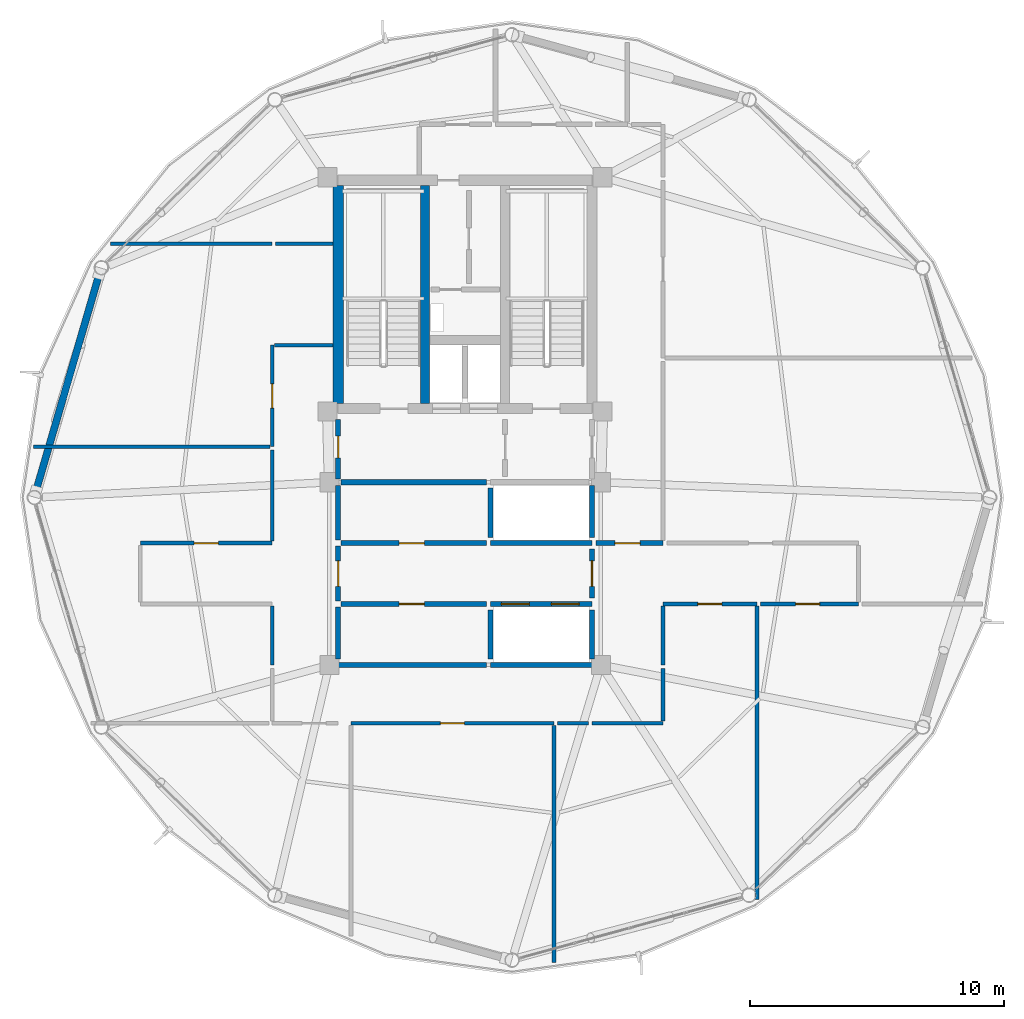
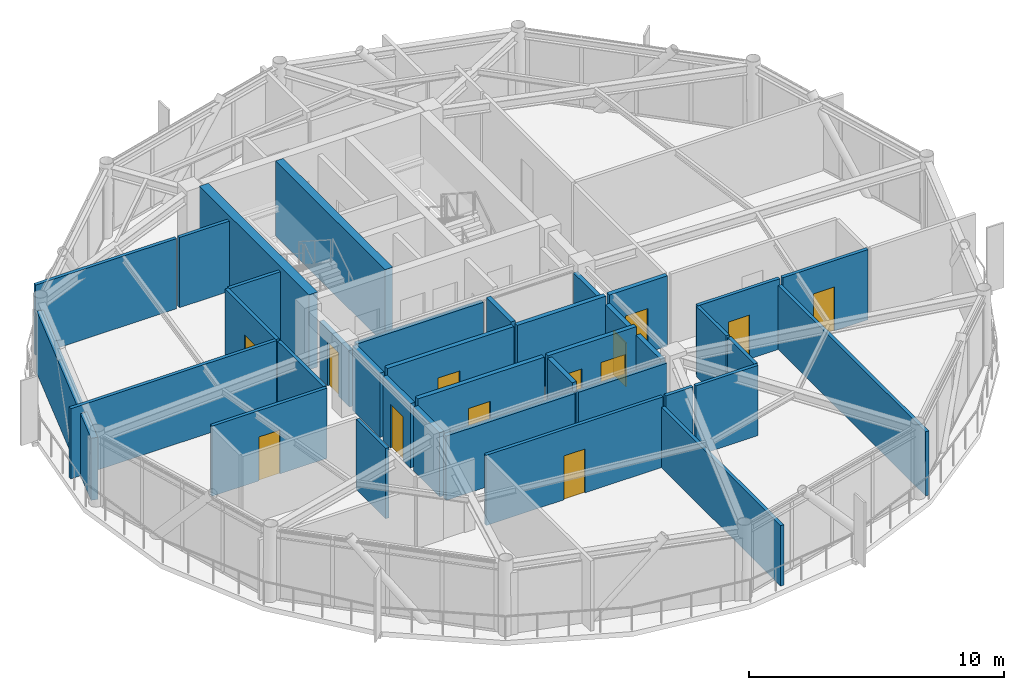
# One storey, part 22 of 27: 37 walls, 13 doors, 13 openings.
"""IFC4 building model written with IfcOpenShell, lengths in metres."""

from ifc_helpers import new_model, si_unit, direction, frame, frame_2d, origin, place, context, subcontext, project, spatial, rectangle, extrude, material, layer, layer_set, type_object, element, fill, save


model = new_model("IFC4")

# Units and contexts
model_context = context("Model", 3, precision=1e-05, world=origin(), true_north=direction((0.0, 1.0)))
body_context = subcontext(model_context, "Body", "Model", "MODEL_VIEW")
ifc_project = project(units=[si_unit("LENGTHUNIT", "METRE"), si_unit("AREAUNIT", "SQUARE_METRE"), si_unit("VOLUMEUNIT", "CUBIC_METRE"), si_unit("PLANEANGLEUNIT", "RADIAN"), si_unit("MASSUNIT", "GRAM", prefix="KILO")], contexts=[model_context])

# Site, building, storey
site_placement = place(None, origin())
site = spatial("IfcSite", under=ifc_project, at=site_placement, CompositionType="ELEMENT")
building_placement = place(site_placement, origin())
building = spatial("IfcBuilding", under=site, at=building_placement, Name="Varnakorn Sky Granary", CompositionType="ELEMENT")
storey_placement = place(building_placement, frame((0.0, 0.0, 229.199951171875)))
storey = spatial("IfcBuildingStorey", under=building, at=storey_placement, Name="L58", CompositionType="ELEMENT", Elevation=229.199951171875)

# Walls
ifc_material_1 = material(Name="Concrete C50/60", Category="concrete")
ifc_layer_1 = layer(ifc_material_1, 0.35009765625, Name="Concrete C50/60")
ifc_layer_set_1 = layer_set([ifc_layer_1], Name="Concrete C50/60")
wall_type_1 = type_object("IfcWallType", Name="WT-CW-INT-350", PredefinedType="SHEAR", material=ifc_layer_set_1)
wall_1_placement = place(storey_placement, frame((1.419921875, 3.7099609375, 0.0), z_axis=(0.0, 0.0, 1.0), x_axis=(0.0, 1.0, 0.0)))
element("IfcWall", 1, at=wall_1_placement, inside=storey, type_object=wall_type_1, Name="Stair ST-1 Core Wall L58", PredefinedType="SHEAR", context=body_context, shape_type="SweptSolid", body=[
    extrude(rectangle(XDim=8.580078125, YDim=0.35009765625, at=frame_2d((4.2900390625, 0.0))), origin(), (0.0, 0.0, 1.0), 3.592041015625),
])
ifc_layer_2 = layer(ifc_material_1, 0.39990234375, Name="Concrete C50/60")
ifc_layer_set_2 = layer_set([ifc_layer_2], Name="Concrete C50/60")
wall_type_2 = type_object("IfcWallType", Name="WT-CW-SHEAR-400", PredefinedType="SHEAR", material=ifc_layer_set_2)
wall_2_placement = place(storey_placement, frame((-2.0, 3.7099609375, 0.0), z_axis=(0.0, 0.0, 1.0), x_axis=(0.0, 1.0, 0.0)))
element("IfcWall", 2, at=wall_2_placement, inside=storey, type_object=wall_type_2, Name="Core West Shear Wall L58", PredefinedType="SHEAR", context=body_context, shape_type="SweptSolid", body=[
    extrude(rectangle(XDim=8.580078125, YDim=0.39990234375, at=frame_2d((4.2900390625, 0.0))), origin(), (0.0, 0.0, 1.0), 3.592041015625),
])
ifc_material_2 = material(Name="Precast concrete C40/50", Category="concrete")
ifc_layer_3 = layer(ifc_material_2, 0.280029296875, Name="Precast concrete C40/50")
ifc_layer_set_3 = layer_set([ifc_layer_3], Name="Precast concrete C40/50")
wall_type_3 = type_object("IfcWallType", Name="WT-EW-CRN-280", PredefinedType="SOLIDWALL", material=ifc_layer_set_3)
wall_3_placement = place(storey_placement, frame((-13.918212890625, 0.22509765625, 0.0), z_axis=(0.0, 0.0, 1.0), x_axis=(0.279948739232, 0.960014949572, 0.0)))
element("IfcWall", 3, at=wall_3_placement, inside=storey, type_object=wall_type_3, Name="Agritech Insulated Precast Facade Wall L58-P06", PredefinedType="SOLIDWALL", context=body_context, shape_type="SweptSolid", body=[
    extrude(rectangle(XDim=8.961669921875, YDim=0.280029296875, at=frame_2d((4.48095703125, 0.0))), origin(), (0.0, 0.0, 1.0), 2.969970703125),
])

# Wall, opening, door
ifc_material_3 = material(Name="Autoclaved Aerated Concrete Blockwork", Category="masonry")
ifc_layer_4 = layer(ifc_material_3, 0.199951171875, Name="Autoclaved Aerated Concrete Blockwork")
ifc_layer_set_4 = layer_set([ifc_layer_4], Name="Autoclaved Aerated Concrete Blockwork")
wall_type_4 = type_object("IfcWallType", Name="WT-FIRE-200", PredefinedType="MOVABLE", material=ifc_layer_set_4)
wall_4_placement = place(storey_placement, frame((-2.0, 0.719970703125, 0.0), z_axis=(0.0, 0.0, 1.0), x_axis=(0.0, 1.0, 0.0)))
wall_4 = element("IfcWall", 4, at=wall_4_placement, inside=storey, type_object=wall_type_4, Name="Interior Partition Wall L58-013", PredefinedType="MOVABLE", context=body_context, shape_type="SweptSolid", body=[
    extrude(rectangle(XDim=2.35009765625, YDim=0.199951171875, at=frame_2d((1.175048828125, 0.0))), origin(), (0.0, 0.0, 1.0), 2.692138671875),
])
opening_1_placement = place(wall_4_placement, frame((0.844970703125, 0.0, 0.0)))
opening_1 = element("IfcOpeningElement", 5, at=opening_1_placement, cuts=wall_4, Name="Opening FD-60N", PredefinedType="OPENING", context=body_context, shape_type="SweptSolid", body=[
    extrude(rectangle(XDim=0.85009765625, YDim=2.10009765625, at=frame_2d((0.425048828125, 1.050048828125))), frame((0.0, 0.10986328125, 0.0), z_axis=(0.0, -1.0, 0.0), x_axis=(1.0, 0.0, 0.0)), (0.0, 0.0, 1.0), 0.219970703125),
])
ifc_material_4 = material(Name="Acoustic Timber Fire Leaf", Category="wood")
door_type_1 = type_object("IfcDoorType", Name="DR-FD60-850", OperationType="NOTDEFINED", PredefinedType="DOOR", material=ifc_material_4)
door_1_placement = place(opening_1_placement, origin())
door_1 = element("IfcDoor", 6, at=door_1_placement, inside=storey, type_object=door_type_1, Name="Interior Door L58-013-1", OperationType="SINGLE_SWING_RIGHT", OverallHeight=2.10009765625, OverallWidth=0.85009765625, PredefinedType="DOOR", context=body_context, shape_type="SweptSolid", body=[
    extrude(rectangle(XDim=0.85009765625, YDim=2.10009765625, at=frame_2d((0.425048828125, 1.050048828125))), frame((0.0, 0.02490234375, 0.0), z_axis=(0.0, -1.0, 0.0), x_axis=(1.0, 0.0, 0.0)), (0.0, 0.0, 1.0), 0.050048828125),
])
fill(opening_1, door_1)

wall_5_placement = place(storey_placement, frame((-2.0, -4.080078125, 0.0), z_axis=(0.0, 0.0, 1.0), x_axis=(0.0, 1.0, 0.0)))
wall_5 = element("IfcWall", 7, at=wall_5_placement, inside=storey, type_object=wall_type_4, Name="Interior Partition Wall L58-015", PredefinedType="MOVABLE", context=body_context, shape_type="SweptSolid", body=[
    extrude(rectangle(XDim=2.16015625, YDim=0.199951171875, at=frame_2d((1.080078125, 0.0))), origin(), (0.0, 0.0, 1.0), 3.072021484375),
])
opening_2_placement = place(wall_5_placement, frame((0.580078125, 0.0, 0.0)))
opening_2 = element("IfcOpeningElement", 8, at=opening_2_placement, cuts=wall_5, Name="Opening FD-60", PredefinedType="OPENING", context=body_context, shape_type="SweptSolid", body=[
    extrude(rectangle(XDim=1.0, YDim=2.10009765625, at=frame_2d((0.5, 1.050048828125))), frame((0.0, 0.10986328125, 0.0), z_axis=(0.0, -1.0, 0.0), x_axis=(1.0, 0.0, 0.0)), (0.0, 0.0, 1.0), 0.219970703125),
])
door_type_2 = type_object("IfcDoorType", Name="DR-FD60-1000", OperationType="NOTDEFINED", PredefinedType="DOOR", material=ifc_material_4)
door_2_placement = place(opening_2_placement, origin())
door_2 = element("IfcDoor", 9, at=door_2_placement, inside=storey, type_object=door_type_2, Name="Interior Door L58-015-1", OperationType="SINGLE_SWING_RIGHT", OverallHeight=2.10009765625, OverallWidth=1.0, PredefinedType="DOOR", context=body_context, shape_type="SweptSolid", body=[
    extrude(rectangle(XDim=1.0, YDim=2.10009765625, at=frame_2d((0.5, 1.050048828125))), frame((0.0, 0.02490234375, 0.0), z_axis=(0.0, -1.0, 0.0), x_axis=(1.0, 0.0, 0.0)), (0.0, 0.0, 1.0), 0.050048828125),
])
fill(opening_2, door_2)

wall_6_placement = place(storey_placement, frame((8.0, -3.969970703125, 0.0), z_axis=(0.0, 0.0, 1.0), x_axis=(0.0, 1.0, 0.0)))
wall_6 = element("IfcWall", 10, at=wall_6_placement, inside=storey, type_object=wall_type_4, Name="Interior Partition Wall L58-016", PredefinedType="MOVABLE", context=body_context, shape_type="SweptSolid", body=[
    extrude(rectangle(XDim=1.93994140625, YDim=0.199951171875, at=frame_2d((0.969970703125, 0.0))), origin(), (0.0, 0.0, 1.0), 3.072021484375),
])
opening_3_placement = place(wall_6_placement, frame((0.469970703125, 0.0, 0.0)))
opening_3 = element("IfcOpeningElement", 11, at=opening_3_placement, cuts=wall_6, Name="Opening FD-60", PredefinedType="OPENING", context=body_context, shape_type="SweptSolid", body=[
    extrude(rectangle(XDim=1.0, YDim=2.10009765625, at=frame_2d((0.5, 1.050048828125))), frame((0.0, 0.10986328125, 0.0), z_axis=(0.0, -1.0, 0.0), x_axis=(1.0, 0.0, 0.0)), (0.0, 0.0, 1.0), 0.219970703125),
])
door_3_placement = place(opening_3_placement, origin())
door_3 = element("IfcDoor", 12, at=door_3_placement, inside=storey, type_object=door_type_2, Name="Interior Door L58-016-1", OperationType="SINGLE_SWING_LEFT", OverallHeight=2.10009765625, OverallWidth=1.0, PredefinedType="DOOR", context=body_context, shape_type="SweptSolid", body=[
    extrude(rectangle(XDim=1.0, YDim=2.10009765625, at=frame_2d((0.5, 1.050048828125))), frame((0.0, 0.02490234375, 0.0), z_axis=(0.0, -1.0, 0.0), x_axis=(1.0, 0.0, 0.0)), (0.0, 0.0, 1.0), 0.050048828125),
])
fill(opening_3, door_3)

wall_7_placement = place(storey_placement, frame((-1.889892578125, -1.800048828125, 0.0), z_axis=(0.0, 0.0, 1.0), x_axis=(1.0, 0.0, 0.0)))
wall_7 = element("IfcWall", 13, at=wall_7_placement, inside=storey, type_object=wall_type_4, Name="Interior Partition Wall L58-017", PredefinedType="MOVABLE", context=body_context, shape_type="SweptSolid", body=[
    extrude(rectangle(XDim=5.72998046875, YDim=0.199951171875, at=frame_2d((2.864990234375, 0.0))), origin(), (0.0, 0.0, 1.0), 3.360107421875),
])
opening_4_placement = place(wall_7_placement, frame((2.2900390625, 0.0, 0.0)))
opening_4 = element("IfcOpeningElement", 14, at=opening_4_placement, cuts=wall_7, Name="Opening FD-60", PredefinedType="OPENING", context=body_context, shape_type="SweptSolid", body=[
    extrude(rectangle(XDim=1.0, YDim=2.10009765625, at=frame_2d((0.5, 1.050048828125))), frame((0.0, 0.10986328125, 0.0), z_axis=(0.0, -1.0, 0.0), x_axis=(1.0, 0.0, 0.0)), (0.0, 0.0, 1.0), 0.219970703125),
])
door_4_placement = place(opening_4_placement, origin())
door_4 = element("IfcDoor", 15, at=door_4_placement, inside=storey, type_object=door_type_2, Name="Interior Door L58-017-1", OperationType="SINGLE_SWING_RIGHT", OverallHeight=2.10009765625, OverallWidth=1.0, PredefinedType="DOOR", context=body_context, shape_type="SweptSolid", body=[
    extrude(rectangle(XDim=1.0, YDim=2.10009765625, at=frame_2d((0.5, 1.050048828125))), frame((0.0, 0.02490234375, 0.0), z_axis=(0.0, -1.0, 0.0), x_axis=(1.0, 0.0, 0.0)), (0.0, 0.0, 1.0), 0.050048828125),
])
fill(opening_4, door_4)

wall_8_placement = place(storey_placement, frame((-1.889892578125, -4.199951171875, 0.0), z_axis=(0.0, 0.0, 1.0), x_axis=(1.0, 0.0, 0.0)))
wall_8 = element("IfcWall", 16, at=wall_8_placement, inside=storey, type_object=wall_type_4, Name="Interior Partition Wall L58-018", PredefinedType="MOVABLE", context=body_context, shape_type="SweptSolid", body=[
    extrude(rectangle(XDim=5.72998046875, YDim=0.199951171875, at=frame_2d((2.864990234375, 0.0))), origin(), (0.0, 0.0, 1.0), 3.360107421875),
])
opening_5_placement = place(wall_8_placement, frame((2.2900390625, 0.0, 0.0)))
opening_5 = element("IfcOpeningElement", 17, at=opening_5_placement, cuts=wall_8, Name="Opening FD-60", PredefinedType="OPENING", context=body_context, shape_type="SweptSolid", body=[
    extrude(rectangle(XDim=1.0, YDim=2.10009765625, at=frame_2d((0.5, 1.050048828125))), frame((0.0, 0.10986328125, 0.0), z_axis=(0.0, -1.0, 0.0), x_axis=(1.0, 0.0, 0.0)), (0.0, 0.0, 1.0), 0.219970703125),
])
door_5_placement = place(opening_5_placement, origin())
door_5 = element("IfcDoor", 18, at=door_5_placement, inside=storey, type_object=door_type_2, Name="Interior Door L58-018-1", OperationType="SINGLE_SWING_LEFT", OverallHeight=2.10009765625, OverallWidth=1.0, PredefinedType="DOOR", context=body_context, shape_type="SweptSolid", body=[
    extrude(rectangle(XDim=1.0, YDim=2.10009765625, at=frame_2d((0.5, 1.050048828125))), frame((0.0, 0.02490234375, 0.0), z_axis=(0.0, -1.0, 0.0), x_axis=(1.0, 0.0, 0.0)), (0.0, 0.0, 1.0), 0.050048828125),
])
fill(opening_5, door_5)

wall_9_placement = place(storey_placement, frame((8.159912109375, -1.800048828125, 0.0), z_axis=(0.0, 0.0, 1.0), x_axis=(1.0, 0.0, 0.0)))
wall_9 = element("IfcWall", 19, at=wall_9_placement, inside=storey, type_object=wall_type_4, Name="Interior Partition Wall L58-019", PredefinedType="MOVABLE", context=body_context, shape_type="SweptSolid", body=[
    extrude(rectangle(XDim=2.64013671875, YDim=0.199951171875, at=frame_2d((1.320068359375, 0.0))), origin(), (0.0, 0.0, 1.0), 3.360107421875),
])
opening_6_placement = place(wall_9_placement, frame((0.739990234375, 0.0, 0.0)))
opening_6 = element("IfcOpeningElement", 20, at=opening_6_placement, cuts=wall_9, Name="Opening FD-60", PredefinedType="OPENING", context=body_context, shape_type="SweptSolid", body=[
    extrude(rectangle(XDim=1.0, YDim=2.10009765625, at=frame_2d((0.5, 1.050048828125))), frame((0.0, 0.10986328125, 0.0), z_axis=(0.0, -1.0, 0.0), x_axis=(1.0, 0.0, 0.0)), (0.0, 0.0, 1.0), 0.219970703125),
])
door_6_placement = place(opening_6_placement, origin())
door_6 = element("IfcDoor", 21, at=door_6_placement, inside=storey, type_object=door_type_2, Name="Interior Door L58-019-1", OperationType="SINGLE_SWING_RIGHT", OverallHeight=2.10009765625, OverallWidth=1.0, PredefinedType="DOOR", context=body_context, shape_type="SweptSolid", body=[
    extrude(rectangle(XDim=1.0, YDim=2.10009765625, at=frame_2d((0.5, 1.050048828125))), frame((0.0, 0.02490234375, 0.0), z_axis=(0.0, -1.0, 0.0), x_axis=(1.0, 0.0, 0.0)), (0.0, 0.0, 1.0), 0.050048828125),
])
fill(opening_6, door_6)

# Walls
wall_10_placement = place(storey_placement, frame((-1.8798828125, 0.60009765625, 0.0), z_axis=(0.0, 0.0, 1.0), x_axis=(1.0, 0.0, 0.0)))
element("IfcWall", 22, at=wall_10_placement, inside=storey, type_object=wall_type_4, Name="Interior Partition Wall L58-030", PredefinedType="MOVABLE", context=body_context, shape_type="SweptSolid", body=[
    extrude(rectangle(XDim=5.719970703125, YDim=0.199951171875, at=frame_2d((2.85986328125, 0.0))), origin(), (0.0, 0.0, 1.0), 3.072021484375),
])
wall_11_placement = place(storey_placement, frame((-2.0, -1.679931640625, 0.0), z_axis=(0.0, 0.0, 1.0), x_axis=(0.0, 1.0, 0.0)))
element("IfcWall", 23, at=wall_11_placement, inside=storey, type_object=wall_type_4, Name="Interior Partition Wall L58-031", PredefinedType="MOVABLE", context=body_context, shape_type="SweptSolid", body=[
    extrude(rectangle(XDim=2.159912109375, YDim=0.199951171875, at=frame_2d((1.080078125, 0.0))), origin(), (0.0, 0.0, 1.0), 3.072021484375),
])
wall_12_placement = place(storey_placement, frame((-2.0, -6.60009765625, 0.0), z_axis=(0.0, 0.0, 1.0), x_axis=(1.0, 0.0, 0.0)))
element("IfcWall", 24, at=wall_12_placement, inside=storey, type_object=wall_type_4, Name="Interior Partition Wall L58-032", PredefinedType="MOVABLE", context=body_context, shape_type="SweptSolid", body=[
    extrude(rectangle(XDim=5.840087890625, YDim=0.199951171875, at=frame_2d((2.919921875, 0.0))), origin(), (0.0, 0.0, 1.0), 3.072021484375),
])
wall_13_placement = place(storey_placement, frame((-2.0, -6.3701171875, 0.0), z_axis=(0.0, 0.0, 1.0), x_axis=(0.0, 1.0, 0.0)))
element("IfcWall", 25, at=wall_13_placement, inside=storey, type_object=wall_type_4, Name="Interior Partition Wall L58-033", PredefinedType="MOVABLE", context=body_context, shape_type="SweptSolid", body=[
    extrude(rectangle(XDim=2.050048828125, YDim=0.199951171875, at=frame_2d((1.02490234375, 0.0))), origin(), (0.0, 0.0, 1.0), 3.072021484375),
])

# Wall, opening, door
ifc_material_5 = material(Name="Gypsum Plasterboard on Steel Stud", Category="steel")
ifc_layer_5 = layer(ifc_material_5, 0.14990234375, Name="Gypsum Plasterboard on Steel Stud")
ifc_layer_set_5 = layer_set([ifc_layer_5], Name="Gypsum Plasterboard on Steel Stud")
wall_type_5 = type_object("IfcWallType", Name="WT-PART-150", PredefinedType="PARTITIONING", material=ifc_layer_set_5)
wall_14_placement = place(storey_placement, frame((-1.5, -8.89990234375, 0.0), z_axis=(0.0, 0.0, 1.0), x_axis=(1.0, 0.0, 0.0)))
wall_14 = element("IfcWall", 26, at=wall_14_placement, inside=storey, type_object=wall_type_5, Name="Interior Partition Wall L58-022", PredefinedType="PARTITIONING", context=body_context, shape_type="SweptSolid", body=[
    extrude(rectangle(XDim=8.0, YDim=0.14990234375, at=frame_2d((4.0, 0.0))), origin(), (0.0, 0.0, 1.0), 3.360107421875),
])
opening_7_placement = place(wall_14_placement, frame((3.52490234375, 0.0, 0.0)))
opening_7 = element("IfcOpeningElement", 27, at=opening_7_placement, cuts=wall_14, Name="Opening ID-95", PredefinedType="OPENING", context=body_context, shape_type="SweptSolid", body=[
    extrude(rectangle(XDim=0.949951171875, YDim=2.10009765625, at=frame_2d((0.47509765625, 1.050048828125))), frame((0.0, 0.0849609375, 0.0), z_axis=(0.0, -1.0, 0.0), x_axis=(1.0, 0.0, 0.0)), (0.0, 0.0, 1.0), 0.169921875),
])
ifc_material_6 = material(Name="Solid-Core Teak Veneer Leaf", Category="timber")
door_type_3 = type_object("IfcDoorType", Name="DR-INT-950", OperationType="NOTDEFINED", PredefinedType="DOOR", material=ifc_material_6)
door_7_placement = place(opening_7_placement, origin())
door_7 = element("IfcDoor", 28, at=door_7_placement, inside=storey, type_object=door_type_3, Name="Interior Door L58-022-1", OperationType="SINGLE_SWING_LEFT", OverallHeight=2.10009765625, OverallWidth=0.949951171875, PredefinedType="DOOR", context=body_context, shape_type="SweptSolid", body=[
    extrude(rectangle(XDim=0.949951171875, YDim=2.10009765625, at=frame_2d((0.47509765625, 1.050048828125))), frame((0.0, 0.02490234375, 0.0), z_axis=(0.0, -1.0, 0.0), x_axis=(1.0, 0.0, 0.0)), (0.0, 0.0, 1.0), 0.050048828125),
])
fill(opening_7, door_7)

wall_15_placement = place(storey_placement, frame((10.800048828125, -4.199951171875, 0.0), z_axis=(0.0, 0.0, 1.0), x_axis=(1.0, 0.0, 0.0)))
wall_15 = element("IfcWall", 29, at=wall_15_placement, inside=storey, type_object=wall_type_5, Name="Interior Partition Wall L58-023", PredefinedType="PARTITIONING", context=body_context, shape_type="SweptSolid", body=[
    extrude(rectangle(XDim=3.699951171875, YDim=0.14990234375, at=frame_2d((1.85009765625, 0.0))), origin(), (0.0, 0.0, 1.0), 3.360107421875),
])
opening_8_placement = place(wall_15_placement, frame((1.375, 0.0, 0.0)))
opening_8 = element("IfcOpeningElement", 30, at=opening_8_placement, cuts=wall_15, Name="Opening ID-95", PredefinedType="OPENING", context=body_context, shape_type="SweptSolid", body=[
    extrude(rectangle(XDim=0.949951171875, YDim=2.10009765625, at=frame_2d((0.47509765625, 1.050048828125))), frame((0.0, 0.0849609375, 0.0), z_axis=(0.0, -1.0, 0.0), x_axis=(1.0, 0.0, 0.0)), (0.0, 0.0, 1.0), 0.169921875),
])
door_8_placement = place(opening_8_placement, origin())
door_8 = element("IfcDoor", 31, at=door_8_placement, inside=storey, type_object=door_type_3, Name="Interior Door L58-023-1", OperationType="SINGLE_SWING_RIGHT", OverallHeight=2.10009765625, OverallWidth=0.949951171875, PredefinedType="DOOR", context=body_context, shape_type="SweptSolid", body=[
    extrude(rectangle(XDim=0.949951171875, YDim=2.10009765625, at=frame_2d((0.47509765625, 1.050048828125))), frame((0.0, 0.02490234375, 0.0), z_axis=(0.0, -1.0, 0.0), x_axis=(1.0, 0.0, 0.0)), (0.0, 0.0, 1.0), 0.050048828125),
])
fill(opening_8, door_8)

wall_16_placement = place(storey_placement, frame((14.635009765625, -4.199951171875, 0.0), z_axis=(0.0, 0.0, 1.0), x_axis=(1.0, 0.0, 0.0)))
wall_16 = element("IfcWall", 32, at=wall_16_placement, inside=storey, type_object=wall_type_5, Name="Interior Partition Wall L58-024", PredefinedType="PARTITIONING", context=body_context, shape_type="SweptSolid", body=[
    extrude(rectangle(XDim=3.864990234375, YDim=0.14990234375, at=frame_2d((1.9326171875, 0.0))), origin(), (0.0, 0.0, 1.0), 3.360107421875),
])
opening_9_placement = place(wall_16_placement, frame((1.389892578125, 0.0, 0.0)))
opening_9 = element("IfcOpeningElement", 33, at=opening_9_placement, cuts=wall_16, Name="Opening ID-95", PredefinedType="OPENING", context=body_context, shape_type="SweptSolid", body=[
    extrude(rectangle(XDim=0.949951171875, YDim=2.10009765625, at=frame_2d((0.47509765625, 1.050048828125))), frame((0.0, 0.0849609375, 0.0), z_axis=(0.0, -1.0, 0.0), x_axis=(1.0, 0.0, 0.0)), (0.0, 0.0, 1.0), 0.169921875),
])
door_9_placement = place(opening_9_placement, origin())
door_9 = element("IfcDoor", 34, at=door_9_placement, inside=storey, type_object=door_type_3, Name="Interior Door L58-024-1", OperationType="SINGLE_SWING_LEFT", OverallHeight=2.10009765625, OverallWidth=0.949951171875, PredefinedType="DOOR", context=body_context, shape_type="SweptSolid", body=[
    extrude(rectangle(XDim=0.949951171875, YDim=2.10009765625, at=frame_2d((0.47509765625, 1.050048828125))), frame((0.0, 0.02490234375, 0.0), z_axis=(0.0, -1.0, 0.0), x_axis=(1.0, 0.0, 0.0)), (0.0, 0.0, 1.0), 0.050048828125),
])
fill(opening_9, door_9)

wall_17_placement = place(storey_placement, frame((-4.60009765625, -1.800048828125, 0.0), z_axis=(0.0, 0.0, 1.0), x_axis=(-1.0, 0.0, 0.0)))
wall_17 = element("IfcWall", 35, at=wall_17_placement, inside=storey, type_object=wall_type_5, Name="Interior Partition Wall L58-025", PredefinedType="PARTITIONING", context=body_context, shape_type="SweptSolid", body=[
    extrude(rectangle(XDim=5.199951171875, YDim=0.14990234375, at=frame_2d((2.60009765625, 0.0))), origin(), (0.0, 0.0, 1.0), 3.360107421875),
])
opening_10_placement = place(wall_17_placement, frame((2.125, 0.0, 0.0)))
opening_10 = element("IfcOpeningElement", 36, at=opening_10_placement, cuts=wall_17, Name="Opening ID-95", PredefinedType="OPENING", context=body_context, shape_type="SweptSolid", body=[
    extrude(rectangle(XDim=0.949951171875, YDim=2.10009765625, at=frame_2d((0.47509765625, 1.050048828125))), frame((0.0, 0.0849609375, 0.0), z_axis=(0.0, -1.0, 0.0), x_axis=(1.0, 0.0, 0.0)), (0.0, 0.0, 1.0), 0.169921875),
])
door_10_placement = place(opening_10_placement, origin())
door_10 = element("IfcDoor", 37, at=door_10_placement, inside=storey, type_object=door_type_3, Name="Interior Door L58-025-1", OperationType="SINGLE_SWING_RIGHT", OverallHeight=2.10009765625, OverallWidth=0.949951171875, PredefinedType="DOOR", context=body_context, shape_type="SweptSolid", body=[
    extrude(rectangle(XDim=0.949951171875, YDim=2.10009765625, at=frame_2d((0.47509765625, 1.050048828125))), frame((0.0, 0.02490234375, 0.0), z_axis=(0.0, -1.0, 0.0), x_axis=(1.0, 0.0, 0.0)), (0.0, 0.0, 1.0), 0.050048828125),
])
fill(opening_10, door_10)

wall_18_placement = place(storey_placement, frame((-4.60009765625, 6.0, 0.0), z_axis=(0.0, 0.0, 1.0), x_axis=(0.0, -1.0, 0.0)))
wall_18 = element("IfcWall", 38, at=wall_18_placement, inside=storey, type_object=wall_type_5, Name="Interior Partition Wall L58-026", PredefinedType="PARTITIONING", context=body_context, shape_type="SweptSolid", body=[
    extrude(rectangle(XDim=4.0, YDim=0.14990234375, at=frame_2d((2.0, 0.0))), origin(), (0.0, 0.0, 1.0), 3.360107421875),
])
opening_11_placement = place(wall_18_placement, frame((1.52490234375, 0.0, 0.0)))
opening_11 = element("IfcOpeningElement", 39, at=opening_11_placement, cuts=wall_18, Name="Opening ID-95", PredefinedType="OPENING", context=body_context, shape_type="SweptSolid", body=[
    extrude(rectangle(XDim=0.949951171875, YDim=2.10009765625, at=frame_2d((0.47509765625, 1.050048828125))), frame((0.0, 0.0849609375, 0.0), z_axis=(0.0, -1.0, 0.0), x_axis=(1.0, 0.0, 0.0)), (0.0, 0.0, 1.0), 0.169921875),
])
door_11_placement = place(opening_11_placement, origin())
door_11 = element("IfcDoor", 40, at=door_11_placement, inside=storey, type_object=door_type_3, Name="Interior Door L58-026-1", OperationType="SINGLE_SWING_LEFT", OverallHeight=2.10009765625, OverallWidth=0.949951171875, PredefinedType="DOOR", context=body_context, shape_type="SweptSolid", body=[
    extrude(rectangle(XDim=0.949951171875, YDim=2.10009765625, at=frame_2d((0.47509765625, 1.050048828125))), frame((0.0, 0.02490234375, 0.0), z_axis=(0.0, -1.0, 0.0), x_axis=(1.0, 0.0, 0.0)), (0.0, 0.0, 1.0), 0.050048828125),
])
fill(opening_11, door_11)

# Walls
wall_19_placement = place(storey_placement, frame((6.5, -8.985107421875, 0.0), z_axis=(0.0, 0.0, 1.0), x_axis=(0.0, -1.0, 0.0)))
element("IfcWall", 41, at=wall_19_placement, inside=storey, type_object=wall_type_5, Name="Interior Partition Wall L58-037", PredefinedType="PARTITIONING", context=body_context, shape_type="SweptSolid", body=[
    extrude(rectangle(XDim=9.3408203125, YDim=0.14990234375, at=frame_2d((4.67041015625, 0.0))), origin(), (0.0, 0.0, 1.0), 2.89208984375),
])
wall_20_placement = place(storey_placement, frame((8.0, -8.89990234375, 0.0), z_axis=(0.0, 0.0, 1.0), x_axis=(1.0, 0.0, 0.0)))
element("IfcWall", 42, at=wall_20_placement, inside=storey, type_object=wall_type_5, Name="Interior Partition Wall L58-038", PredefinedType="PARTITIONING", context=body_context, shape_type="SweptSolid", body=[
    extrude(rectangle(XDim=2.800048828125, YDim=0.14990234375, at=frame_2d((1.39990234375, 0.0))), origin(), (0.0, 0.0, 1.0), 3.360107421875),
])
wall_21_placement = place(storey_placement, frame((10.800048828125, -6.60009765625, 0.0), z_axis=(0.0, 0.0, 1.0), x_axis=(0.0, 1.0, 0.0)))
element("IfcWall", 43, at=wall_21_placement, inside=storey, type_object=wall_type_5, Name="Interior Partition Wall L58-039", PredefinedType="PARTITIONING", context=body_context, shape_type="SweptSolid", body=[
    extrude(rectangle(XDim=2.315185546875, YDim=0.14990234375, at=frame_2d((1.15771484375, 0.0))), origin(), (0.0, 0.0, 1.0), 3.360107421875),
])
wall_22_placement = place(storey_placement, frame((10.800048828125, -8.81494140625, 0.0), z_axis=(0.0, 0.0, 1.0), x_axis=(0.0, 1.0, 0.0)))
element("IfcWall", 44, at=wall_22_placement, inside=storey, type_object=wall_type_5, Name="Interior Partition Wall L58-040", PredefinedType="PARTITIONING", context=body_context, shape_type="SweptSolid", body=[
    extrude(rectangle(XDim=2.079833984375, YDim=0.14990234375, at=frame_2d((1.0400390625, 0.0))), origin(), (0.0, 0.0, 1.0), 3.360107421875),
])
wall_23_placement = place(storey_placement, frame((6.635009765625, -8.89990234375, 0.0), z_axis=(0.0, 0.0, 1.0), x_axis=(1.0, 0.0, 0.0)))
element("IfcWall", 45, at=wall_23_placement, inside=storey, type_object=wall_type_5, Name="Interior Partition Wall L58-041", PredefinedType="PARTITIONING", context=body_context, shape_type="SweptSolid", body=[
    extrude(rectangle(XDim=1.22998046875, YDim=0.14990234375, at=frame_2d((0.614990234375, 0.0))), origin(), (0.0, 0.0, 1.0), 3.360107421875),
])
wall_24_placement = place(storey_placement, frame((14.5, -4.284912109375, 0.0), z_axis=(0.0, 0.0, 1.0), x_axis=(0.0, -1.0, 0.0)))
element("IfcWall", 46, at=wall_24_placement, inside=storey, type_object=wall_type_5, Name="Interior Partition Wall L58-042", PredefinedType="PARTITIONING", context=body_context, shape_type="SweptSolid", body=[
    extrude(rectangle(XDim=11.55419921875, YDim=0.14990234375, at=frame_2d((5.777099609375, 0.0))), origin(), (0.0, 0.0, 1.0), 3.072021484375),
])
wall_25_placement = place(storey_placement, frame((-4.60009765625, 1.864990234375, 0.0), z_axis=(0.0, 0.0, 1.0), x_axis=(0.0, -1.0, 0.0)))
element("IfcWall", 47, at=wall_25_placement, inside=storey, type_object=wall_type_5, Name="Interior Partition Wall L58-045", PredefinedType="PARTITIONING", context=body_context, shape_type="SweptSolid", body=[
    extrude(rectangle(XDim=3.580078125, YDim=0.14990234375, at=frame_2d((1.7900390625, 0.0))), origin(), (0.0, 0.0, 1.0), 3.360107421875),
])
wall_26_placement = place(storey_placement, frame((-4.60009765625, -4.284912109375, 0.0), z_axis=(0.0, 0.0, 1.0), x_axis=(0.0, -1.0, 0.0)))
element("IfcWall", 48, at=wall_26_placement, inside=storey, type_object=wall_type_5, Name="Interior Partition Wall L58-047", PredefinedType="PARTITIONING", context=body_context, shape_type="SweptSolid", body=[
    extrude(rectangle(XDim=2.315185546875, YDim=0.14990234375, at=frame_2d((1.15771484375, 0.0))), origin(), (0.0, 0.0, 1.0), 3.360107421875),
])
wall_27_placement = place(storey_placement, frame((-14.0029296875, 2.0, 0.0), z_axis=(0.0, 0.0, 1.0), x_axis=(1.0, 0.0, 0.0)))
element("IfcWall", 49, at=wall_27_placement, inside=storey, type_object=wall_type_5, Name="Interior Partition Wall L58-049", PredefinedType="PARTITIONING", context=body_context, shape_type="SweptSolid", body=[
    extrude(rectangle(XDim=9.31787109375, YDim=0.14990234375, at=frame_2d((4.658935546875, 0.0))), origin(), (0.0, 0.0, 1.0), 3.360107421875),
])
wall_28_placement = place(storey_placement, frame((-2.2099609375, 6.0, 0.0), z_axis=(0.0, 0.0, 1.0), x_axis=(-1.0, 0.0, 0.0)))
element("IfcWall", 50, at=wall_28_placement, inside=storey, type_object=wall_type_5, Name="Interior Partition Wall L58-050", PredefinedType="PARTITIONING", context=body_context, shape_type="SweptSolid", body=[
    extrude(rectangle(XDim=2.304931640625, YDim=0.14990234375, at=frame_2d((1.15234375, 0.0))), origin(), (0.0, 0.0, 1.0), 3.360107421875),
])
wall_29_placement = place(storey_placement, frame((-10.97412109375, 10.0, 0.0), z_axis=(0.0, 0.0, 1.0), x_axis=(1.0, 0.0, 0.0)))
element("IfcWall", 51, at=wall_29_placement, inside=storey, type_object=wall_type_5, Name="Interior Partition Wall L58-051", PredefinedType="PARTITIONING", context=body_context, shape_type="SweptSolid", body=[
    extrude(rectangle(XDim=6.3740234375, YDim=0.14990234375, at=frame_2d((3.18701171875, 0.0))), origin(), (0.0, 0.0, 1.0), 3.360107421875),
])
wall_30_placement = place(storey_placement, frame((-4.465087890625, 10.0, 0.0), z_axis=(0.0, 0.0, 1.0), x_axis=(1.0, 0.0, 0.0)))
element("IfcWall", 52, at=wall_30_placement, inside=storey, type_object=wall_type_5, Name="Interior Partition Wall L58-052", PredefinedType="PARTITIONING", context=body_context, shape_type="SweptSolid", body=[
    extrude(rectangle(XDim=2.255126953125, YDim=0.14990234375, at=frame_2d((1.12744140625, 0.0))), origin(), (0.0, 0.0, 1.0), 3.360107421875),
])
ifc_layer_6 = layer(ifc_material_3, 0.199951171875, Name="Autoclaved Aerated Concrete Blockwork")
ifc_layer_set_6 = layer_set([ifc_layer_6], Name="Autoclaved Aerated Concrete Blockwork")
wall_type_6 = type_object("IfcWallType", Name="WT-SHAFT-200", PredefinedType="SOLIDWALL", material=ifc_layer_set_6)
wall_31_placement = place(storey_placement, frame((4.0, -1.800048828125, 0.0), z_axis=(0.0, 0.0, 1.0), x_axis=(1.0, 0.0, 0.0)))
element("IfcWall", 53, at=wall_31_placement, inside=storey, type_object=wall_type_6, Name="Interior Partition Wall L58-003", PredefinedType="SOLIDWALL", context=body_context, shape_type="SweptSolid", body=[
    extrude(rectangle(XDim=4.0, YDim=0.199951171875, at=frame_2d((2.0, 0.0))), origin(), (0.0, 0.0, 1.0), 3.360107421875),
])
wall_32_placement = place(storey_placement, frame((4.0, -1.570068359375, 0.0), z_axis=(0.0, 0.0, 1.0), x_axis=(0.0, 1.0, 0.0)))
element("IfcWall", 54, at=wall_32_placement, inside=storey, type_object=wall_type_6, Name="Interior Partition Wall L58-004", PredefinedType="SOLIDWALL", context=body_context, shape_type="SweptSolid", body=[
    extrude(rectangle(XDim=1.940185546875, YDim=0.199951171875, at=frame_2d((0.97021484375, 0.0))), origin(), (0.0, 0.0, 1.0), 3.360107421875),
])
wall_33_placement = place(storey_placement, frame((8.0, -1.570068359375, 0.0), z_axis=(0.0, 0.0, 1.0), x_axis=(0.0, 1.0, 0.0)))
element("IfcWall", 55, at=wall_33_placement, inside=storey, type_object=wall_type_6, Name="Interior Partition Wall L58-005", PredefinedType="SOLIDWALL", context=body_context, shape_type="SweptSolid", body=[
    extrude(rectangle(XDim=2.050048828125, YDim=0.199951171875, at=frame_2d((1.02490234375, 0.0))), origin(), (0.0, 0.0, 1.0), 3.072021484375),
])

# Wall, openings, doors
wall_34_placement = place(storey_placement, frame((4.0, -4.199951171875, 0.0), z_axis=(0.0, 0.0, 1.0), x_axis=(1.0, 0.0, 0.0)))
wall_34 = element("IfcWall", 56, at=wall_34_placement, inside=storey, type_object=wall_type_6, Name="Interior Partition Wall L58-006", PredefinedType="SOLIDWALL", context=body_context, shape_type="SweptSolid", body=[
    extrude(rectangle(XDim=4.0, YDim=0.199951171875, at=frame_2d((2.0, 0.0))), origin(), (0.0, 0.0, 1.0), 3.360107421875),
])
opening_12_placement = place(wall_34_placement, frame((0.429931640625, 0.0, 0.0)))
opening_12 = element("IfcOpeningElement", 57, at=opening_12_placement, cuts=wall_34, Name="Opening LD-01", PredefinedType="OPENING", context=body_context, shape_type="SweptSolid", body=[
    extrude(rectangle(XDim=1.10009765625, YDim=2.199951171875, at=frame_2d((0.550048828125, 1.10009765625))), frame((0.0, 0.10986328125, 0.0), z_axis=(0.0, -1.0, 0.0), x_axis=(1.0, 0.0, 0.0)), (0.0, 0.0, 1.0), 0.219970703125),
])
opening_13_placement = place(wall_34_placement, frame((2.39990234375, 0.0, 0.0)))
opening_13 = element("IfcOpeningElement", 58, at=opening_13_placement, cuts=wall_34, Name="Opening LD-01", PredefinedType="OPENING", context=body_context, shape_type="SweptSolid", body=[
    extrude(rectangle(XDim=1.10009765625, YDim=2.199951171875, at=frame_2d((0.550048828125, 1.10009765625))), frame((0.0, 0.10986328125, 0.0), z_axis=(0.0, -1.0, 0.0), x_axis=(1.0, 0.0, 0.0)), (0.0, 0.0, 1.0), 0.219970703125),
])
ifc_material_7 = material(Name="Brushed Bronze Stainless Steel", Category="steel")
door_type_4 = type_object("IfcDoorType", Name="DR-LD-1100", OperationType="DOUBLE_DOOR_SLIDING", PredefinedType="DOOR", material=ifc_material_7)
door_12_placement = place(opening_12_placement, origin())
door_12 = element("IfcDoor", 59, at=door_12_placement, inside=storey, type_object=door_type_4, Name="Passenger Lift PL-H1 Sliding Landing Door L58", OperationType="DOUBLE_DOOR_SLIDING", OverallHeight=2.199951171875, OverallWidth=1.10009765625, PredefinedType="DOOR", context=body_context, shape_type="SweptSolid", body=[
    extrude(rectangle(XDim=1.10009765625, YDim=2.199951171875, at=frame_2d((0.550048828125, 1.10009765625))), frame((0.0, 0.02490234375, 0.0), z_axis=(0.0, -1.0, 0.0), x_axis=(1.0, 0.0, 0.0)), (0.0, 0.0, 1.0), 0.050048828125),
])
fill(opening_12, door_12)
door_13_placement = place(opening_13_placement, origin())
door_13 = element("IfcDoor", 60, at=door_13_placement, inside=storey, type_object=door_type_4, Name="Passenger Lift PL-H2 Sliding Landing Door L58", OperationType="DOUBLE_DOOR_SLIDING", OverallHeight=2.199951171875, OverallWidth=1.10009765625, PredefinedType="DOOR", context=body_context, shape_type="SweptSolid", body=[
    extrude(rectangle(XDim=1.10009765625, YDim=2.199951171875, at=frame_2d((0.550048828125, 1.10009765625))), frame((0.0, 0.02490234375, 0.0), z_axis=(0.0, -1.0, 0.0), x_axis=(1.0, 0.0, 0.0)), (0.0, 0.0, 1.0), 0.050048828125),
])
fill(opening_13, door_13)

# Walls
wall_35_placement = place(storey_placement, frame((4.0, -6.60009765625, 0.0), z_axis=(0.0, 0.0, 1.0), x_axis=(1.0, 0.0, 0.0)))
element("IfcWall", 61, at=wall_35_placement, inside=storey, type_object=wall_type_6, Name="Interior Partition Wall L58-007", PredefinedType="SOLIDWALL", context=body_context, shape_type="SweptSolid", body=[
    extrude(rectangle(XDim=4.0, YDim=0.199951171875, at=frame_2d((2.0, 0.0))), origin(), (0.0, 0.0, 1.0), 3.072021484375),
])
wall_36_placement = place(storey_placement, frame((4.0, -6.3701171875, 0.0), z_axis=(0.0, 0.0, 1.0), x_axis=(0.0, 1.0, 0.0)))
element("IfcWall", 62, at=wall_36_placement, inside=storey, type_object=wall_type_6, Name="Interior Partition Wall L58-008", PredefinedType="SOLIDWALL", context=body_context, shape_type="SweptSolid", body=[
    extrude(rectangle(XDim=1.940185546875, YDim=0.199951171875, at=frame_2d((0.97021484375, 0.0))), origin(), (0.0, 0.0, 1.0), 3.360107421875),
])
wall_37_placement = place(storey_placement, frame((8.0, -6.3701171875, 0.0), z_axis=(0.0, 0.0, 1.0), x_axis=(0.0, 1.0, 0.0)))
element("IfcWall", 63, at=wall_37_placement, inside=storey, type_object=wall_type_6, Name="Interior Partition Wall L58-009", PredefinedType="SOLIDWALL", context=body_context, shape_type="SweptSolid", body=[
    extrude(rectangle(XDim=1.940185546875, YDim=0.199951171875, at=frame_2d((0.97021484375, 0.0))), origin(), (0.0, 0.0, 1.0), 3.072021484375),
])

save(model, "model.ifc")
